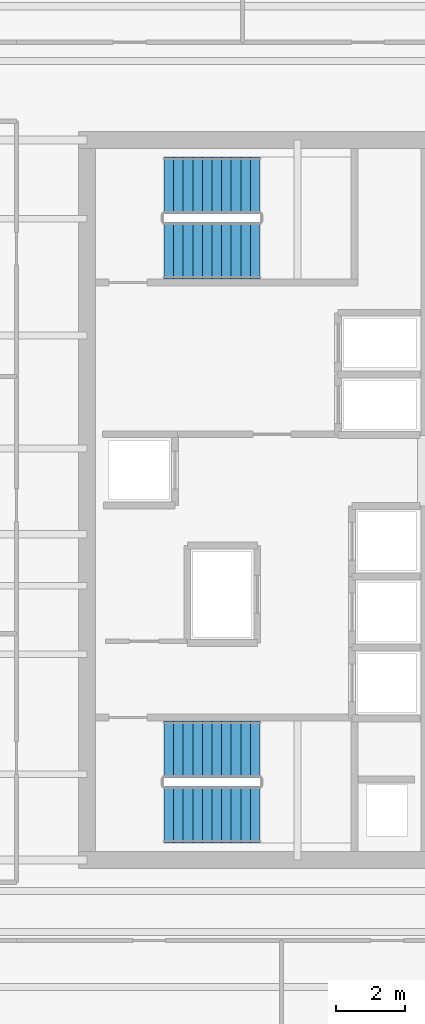
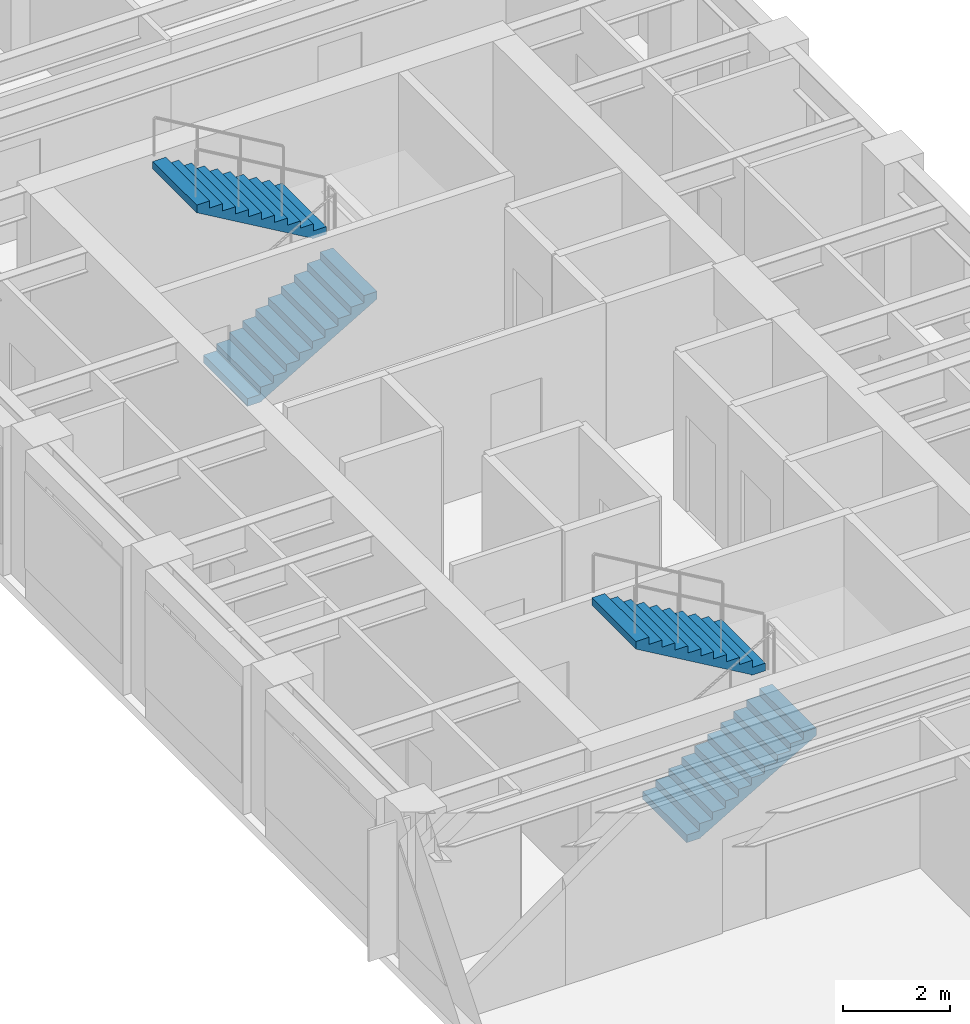
# One storey, part 9 of 10: 4 stair flights, 2 elements without a shape of their own.
"""IFC4 building model written with IfcOpenShell, lengths in metres."""

import ifcopenshell
import ifcopenshell.guid

model = None  # the IFC model being written
_history = None  # IfcOwnerHistory: only IFC2X3 demands one
_inside = {}  # id of a spatial element -> (the spatial element, [elements in it])
_under = {}  # id of a project, library or spatial element -> (it, [spatial elements below it])
_declared = {}  # id of a project -> (the project, [libraries it declares])
_typed = {}  # id of a type object -> (the type object, [elements of that type])
_made_of = {}  # id of a material, layer set ... -> (it, [elements and type objects made of it])


def new_model(schema):
    """Start an empty IFC model of exactly this schema.

    Asked for "IFC4X3", IfcOpenShell would pick the latest addendum, in which some entities
    have other attributes; the version numbers below select the first issue.
    IFC2X3 requires an IfcOwnerHistory on every rooted entity: one is made here for all.
    """
    global model, _history
    if schema == "IFC4X3":
        model = ifcopenshell.file(schema_version=(4, 3, 0, 0))
    else:
        model = ifcopenshell.file(schema=schema)
    _inside.clear()
    _under.clear()
    _declared.clear()
    _typed.clear()
    _made_of.clear()
    _history = None
    if model.schema == "IFC2X3":
        org = make("IfcOrganization", Name="unknown")
        user = make(
            "IfcPersonAndOrganization",
            ThePerson=make("IfcPerson", FamilyName="unknown"),
            TheOrganization=org,
        )
        app = make(
            "IfcApplication",
            ApplicationDeveloper=org,
            Version="unknown",
            ApplicationFullName="unknown",
            ApplicationIdentifier="unknown",
        )
        _history = make(
            "IfcOwnerHistory",
            OwningUser=user,
            OwningApplication=app,
            ChangeAction="ADDED",
            CreationDate=0,
        )
    return model


def make(cls, **values):
    """One entity of the class cls with the attributes given. An attribute that is None is left unset."""
    return model.create_entity(
        cls, **{name: value for name, value in values.items() if value is not None}
    )


def rooted(cls, **values):
    """An entity with a GlobalId (a new one), such as an element, a storey or a relation."""
    return make(cls, GlobalId=ifcopenshell.guid.new(), OwnerHistory=_history, **values)


def si_unit(unit_type, name, prefix=None):
    """IfcSIUnit, for example si_unit("LENGTHUNIT", "METRE", prefix="MILLI")."""
    return make("IfcSIUnit", UnitType=unit_type, Prefix=prefix, Name=name)


def assignment(units):
    """IfcUnitAssignment: the units of a project."""
    return None if units is None else make("IfcUnitAssignment", Units=units)


def point(xyz):
    """IfcCartesianPoint."""
    return None if xyz is None else make("IfcCartesianPoint", Coordinates=xyz)


def direction(xyz):
    """IfcDirection."""
    return None if xyz is None else make("IfcDirection", DirectionRatios=xyz)


def frame(location, z_axis=None, x_axis=None):
    """IfcAxis2Placement3D, a coordinate frame: its origin and axes. An axis left out is left unset."""
    return make(
        "IfcAxis2Placement3D",
        Location=point(location),
        Axis=direction(z_axis),
        RefDirection=direction(x_axis),
    )


def origin():
    """The frame at (0, 0, 0) with its axes left unset."""
    return frame((0.0, 0.0, 0.0))


def place(relative_to, where):
    """IfcLocalPlacement: puts the frame where relative to a parent placement (None: the world)."""
    return make(
        "IfcLocalPlacement", PlacementRelTo=relative_to, RelativePlacement=where
    )


def context(
    kind, dimensions, precision=None, world=None, true_north=None, identifier=None
):
    """IfcGeometricRepresentationContext, for example the 3D "Model" context."""
    return make(
        "IfcGeometricRepresentationContext",
        ContextIdentifier=identifier,
        ContextType=kind,
        CoordinateSpaceDimension=dimensions,
        Precision=precision,
        WorldCoordinateSystem=world,
        TrueNorth=true_north,
    )


def subcontext(parent, identifier, kind, view, scale=None):
    """IfcGeometricRepresentationSubContext, for example "Body" below "Model"."""
    return make(
        "IfcGeometricRepresentationSubContext",
        ContextIdentifier=identifier,
        ContextType=kind,
        ParentContext=parent,
        TargetScale=scale,
        TargetView=view,
    )


def project(units=None, contexts=None):
    """IfcProject with its units and contexts."""
    return rooted(
        "IfcProject",
        Name="project",
        RepresentationContexts=contexts,
        UnitsInContext=assignment(units),
    )


def spatial(cls, under=None, at=None, **own):
    """A site, building, storey or space (cls), placed at a placement, below another one or the project."""
    s = rooted(cls, ObjectPlacement=at, **own)
    if under is not None:
        _under.setdefault(under.id(), (under, []))[1].append(s)
    return s


def polyline(points):
    """IfcPolyline through the points."""
    return make("IfcPolyline", Points=[point(p) for p in points])


def outline(outer, holes=None, kind="AREA"):
    """IfcArbitraryClosedProfileDef: a profile drawn as a closed curve; with holes, ...WithVoids."""
    if holes is None:
        return make("IfcArbitraryClosedProfileDef", ProfileType=kind, OuterCurve=outer)
    return make(
        "IfcArbitraryProfileDefWithVoids",
        ProfileType=kind,
        OuterCurve=outer,
        InnerCurves=holes,
    )


def extrude(swept, where, along, depth):
    """IfcExtrudedAreaSolid: the profile swept, set in the frame where, extruded along a direction by depth."""
    return make(
        "IfcExtrudedAreaSolid",
        SweptArea=swept,
        Position=where,
        ExtrudedDirection=direction(along),
        Depth=depth,
    )


def shape(context_of_items, identifier, shape_type, items):
    """IfcShapeRepresentation: the items that make up one representation, for example the "Body"."""
    return make(
        "IfcShapeRepresentation",
        ContextOfItems=context_of_items,
        RepresentationIdentifier=identifier,
        RepresentationType=shape_type,
        Items=items,
    )


def source(mapping_origin, context_of_items, identifier, shape_type, items):
    """IfcRepresentationMap: a shape defined once, which mapped items show again and again."""
    return make(
        "IfcRepresentationMap",
        MappingOrigin=mapping_origin,
        MappedRepresentation=shape(context_of_items, identifier, shape_type, items),
    )


def transform(
    local_origin,
    x_axis=None,
    y_axis=None,
    z_axis=None,
    scale=None,
    scale2=None,
    scale3=None,
    uniform=True,
):
    """IfcCartesianTransformationOperator3D, or its non-uniform kind. x_axis, y_axis, z_axis: its Axis1, 2, 3."""
    if uniform:
        return make(
            "IfcCartesianTransformationOperator3D",
            Axis1=direction(x_axis),
            Axis2=direction(y_axis),
            LocalOrigin=point(local_origin),
            Scale=scale,
            Axis3=direction(z_axis),
        )
    return make(
        "IfcCartesianTransformationOperator3DnonUniform",
        Axis1=direction(x_axis),
        Axis2=direction(y_axis),
        LocalOrigin=point(local_origin),
        Scale=scale,
        Axis3=direction(z_axis),
        Scale2=scale2,
        Scale3=scale3,
    )


def mapped(mapping_source, mapping_target):
    """IfcMappedItem: shows the shape of a source again, moved by a transform."""
    return make(
        "IfcMappedItem", MappingSource=mapping_source, MappingTarget=mapping_target
    )


def material(Name=None, Category=None):
    """IfcMaterial."""
    return make("IfcMaterial", Name=Name, Category=Category)


def made_of(thing, what):
    """Note that an element or type object is made of a material, layer set ...; save() writes the relation."""
    if what is not None:
        _made_of.setdefault(what.id(), (what, []))[1].append(thing)
    return thing


def type_object(cls, material=None, **own):
    """A type object (cls), such as IfcWallType, which elements share."""
    return made_of(rooted(cls, **own), material)


def element(
    cls,
    number,
    at=None,
    inside=None,
    cuts=None,
    type_object=None,
    material=None,
    context=None,
    identifier="Body",
    shape_type=None,
    held_by="IfcProductDefinitionShape",
    body=None,
    shapes=None,
    **own,
):
    """One element of the class cls, such as IfcWall. Its Tag is "e" and its number.

    at: its placement. inside: the storey or other place that contains it. cuts: it is an
    opening in that element (IfcRelVoidsElement). A single representation is given by context,
    identifier, shape_type and body (its items); several are given by shapes. held_by: the class
    of the entity that holds the representations. save() writes the other relations.
    """
    e = rooted(cls, Tag="e%d" % number, ObjectPlacement=at, **own)
    if body is not None:
        shapes = [shape(context, identifier, shape_type, body)]
    if shapes is not None:
        e.Representation = make(held_by, Representations=shapes)
    if inside is not None:
        _inside.setdefault(inside.id(), (inside, []))[1].append(e)
    if cuts is not None:
        rooted(
            "IfcRelVoidsElement", RelatingBuildingElement=cuts, RelatedOpeningElement=e
        )
    if type_object is not None:
        _typed.setdefault(type_object.id(), (type_object, []))[1].append(e)
    return made_of(e, material)


def aggregate(whole, parts):
    """IfcRelAggregates: a whole, such as a stair, and the parts it consists of."""
    return rooted("IfcRelAggregates", RelatingObject=whole, RelatedObjects=parts)


def save(model, path):
    """Write the relations noted so far, then the file.

    IfcRelAggregates (storeys below a building ...), IfcRelContainedInSpatialStructure (elements
    in a storey), IfcRelDefinesByType, IfcRelAssociatesMaterial and IfcRelDeclares: one each for
    every whole, place, type object, material and project.
    """
    for whole, parts in _under.values():
        aggregate(whole, parts)
    for where, things in _inside.values():
        rooted(
            "IfcRelContainedInSpatialStructure",
            RelatedElements=things,
            RelatingStructure=where,
        )
    for kind, things in _typed.values():
        rooted("IfcRelDefinesByType", RelatedObjects=things, RelatingType=kind)
    for what, things in _made_of.values():
        rooted("IfcRelAssociatesMaterial", RelatedObjects=things, RelatingMaterial=what)
    for by, libraries in _declared.values():
        rooted("IfcRelDeclares", RelatingContext=by, RelatedDefinitions=libraries)
    model.write(path)


model = new_model("IFC4")

# Units and contexts
model_context = context("Model", 3, precision=1e-05, world=origin(), true_north=direction((0.0, 1.0)))
body_context = subcontext(model_context, "Body", "Model", "MODEL_VIEW")
ifc_project = project(units=[si_unit("LENGTHUNIT", "METRE"), si_unit("AREAUNIT", "SQUARE_METRE"), si_unit("VOLUMEUNIT", "CUBIC_METRE"), si_unit("PLANEANGLEUNIT", "RADIAN"), si_unit("MASSUNIT", "GRAM", prefix="KILO")], contexts=[model_context])

# Site, building, storey
site_placement = place(None, origin())
site = spatial("IfcSite", under=ifc_project, at=site_placement, CompositionType="ELEMENT")
building_placement = place(site_placement, origin())
building = spatial("IfcBuilding", under=site, at=building_placement, Name="Kharzan Plaza Tower", CompositionType="ELEMENT")
storey_placement = place(building_placement, frame((0.0, 0.0, 266.39990234375)))
storey = spatial("IfcBuildingStorey", under=building, at=storey_placement, Name="L72", CompositionType="ELEMENT", Elevation=266.39990234375)

# Stair, stair flights
ifc_material = material(Name="Concrete C40/50", Category="concrete")
stair_type_1 = type_object("IfcStairType", Name="STR-ST-1", PredefinedType="HALF_TURN_STAIR", material=ifc_material)
stair_1_placement = place(storey_placement, origin())
stair_1 = element("IfcStair", 1, at=stair_1_placement, inside=storey, type_object=stair_type_1, Name="L72 Protected Exit Stair ST-1", PredefinedType="HALF_TURN_STAIR")
stair_flight_type = type_object("IfcStairFlightType", Name="SFL-1650-R173", PredefinedType="STRAIGHT", material=ifc_material)
shared_shape = source(origin(), body_context, "Body", "SweptSolid", [
    extrude(outline(polyline([(-0.0029296875, -0.011962890625), (-0.0029296875, 0.0), (0.0, 0.0), (0.0, 0.16357421875), (0.280029296875, 0.16357421875), (0.280029296875, 0.3271484375), (0.56005859375, 0.3271484375), (0.56005859375, 0.49072265625), (0.840087890625, 0.49072265625), (0.840087890625, 0.654296875), (1.1201171875, 0.654296875), (1.1201171875, 0.81787109375), (1.400146484375, 0.81787109375), (1.400146484375, 0.9814453125), (1.68017578125, 0.9814453125), (1.68017578125, 1.14501953125), (1.960205078125, 1.14501953125), (1.960205078125, 1.30859375), (2.240234375, 1.30859375), (2.240234375, 1.47216796875), (2.520263671875, 1.47216796875), (2.520263671875, 1.6357421875), (2.80029296875, 1.6357421875), (2.80029296875, 1.79931640625), (2.80029296875, 1.462158203125), (0.297119140625, 0.0), (0.297119140625, -0.011962890625), (-0.0029296875, -0.011962890625)])), frame((0.0, 0.824951171875, 0.0), z_axis=(0.0, -1.0, 0.0), x_axis=(1.0, 0.0, 0.0)), (0.0, 0.0, 1.0), 1.64990234375),
])
stair_flight_1_placement = place(storey_placement, frame((6.75, 9.824951171875, 0.0), z_axis=(0.0, 0.0, 1.0), x_axis=(1.0, 0.0, 0.0)))
stair_flight_1 = element("IfcStairFlight", 2, at=stair_flight_1_placement, type_object=stair_flight_type, Name="ST-1 flight 1", NumberOfRisers=11, NumberOfTreads=10, PredefinedType="STRAIGHT", RiserHeight=0.163636364, TreadLength=0.28, context=body_context, shape_type="MappedRepresentation", body=[
    mapped(shared_shape, transform((0.0, 0.0, 0.0), x_axis=(1.0, 0.0, 0.0), y_axis=(0.0, 1.0, 0.0), z_axis=(0.0, 0.0, 1.0))),
])
stair_flight_2_placement = place(storey_placement, frame((9.550048828125, 11.72509765625, 1.800048828125), z_axis=(0.0, 0.0, 1.0), x_axis=(-1.0, 0.0, 0.0)))
stair_flight_2 = element("IfcStairFlight", 3, at=stair_flight_2_placement, type_object=stair_flight_type, Name="ST-1 flight 2", NumberOfRisers=11, NumberOfTreads=10, PredefinedType="STRAIGHT", RiserHeight=0.163636364, TreadLength=0.28, context=body_context, shape_type="MappedRepresentation", body=[
    mapped(shared_shape, transform((0.0, 0.0, 0.0), x_axis=(1.0, 0.0, 0.0), y_axis=(0.0, 1.0, 0.0), z_axis=(0.0, 0.0, 1.0))),
])
aggregate(stair_1, [stair_flight_1, stair_flight_2])

stair_type_2 = type_object("IfcStairType", Name="STR-ST-2", PredefinedType="HALF_TURN_STAIR", material=ifc_material)
stair_2_placement = place(storey_placement, origin())
stair_2 = element("IfcStair", 4, at=stair_2_placement, inside=storey, type_object=stair_type_2, Name="L72 Protected Exit Stair ST-2", PredefinedType="HALF_TURN_STAIR")
stair_flight_3_placement = place(storey_placement, frame((6.75, 26.27490234375, 0.0), z_axis=(0.0, 0.0, 1.0), x_axis=(1.0, 0.0, 0.0)))
stair_flight_3 = element("IfcStairFlight", 5, at=stair_flight_3_placement, type_object=stair_flight_type, Name="ST-2 flight 1", NumberOfRisers=11, NumberOfTreads=10, PredefinedType="STRAIGHT", RiserHeight=0.163636364, TreadLength=0.28, context=body_context, shape_type="MappedRepresentation", body=[
    mapped(shared_shape, transform((0.0, 0.0, 0.0), x_axis=(1.0, 0.0, 0.0), y_axis=(0.0, 1.0, 0.0), z_axis=(0.0, 0.0, 1.0))),
])
stair_flight_4_placement = place(storey_placement, frame((9.550048828125, 28.175048828125, 1.800048828125), z_axis=(0.0, 0.0, 1.0), x_axis=(-1.0, 0.0, 0.0)))
stair_flight_4 = element("IfcStairFlight", 6, at=stair_flight_4_placement, type_object=stair_flight_type, Name="ST-2 flight 2", NumberOfRisers=11, NumberOfTreads=10, PredefinedType="STRAIGHT", RiserHeight=0.163636364, TreadLength=0.28, context=body_context, shape_type="MappedRepresentation", body=[
    mapped(shared_shape, transform((0.0, 0.0, 0.0), x_axis=(1.0, 0.0, 0.0), y_axis=(0.0, 1.0, 0.0), z_axis=(0.0, 0.0, 1.0))),
])
aggregate(stair_2, [stair_flight_3, stair_flight_4])

save(model, "model.ifc")
